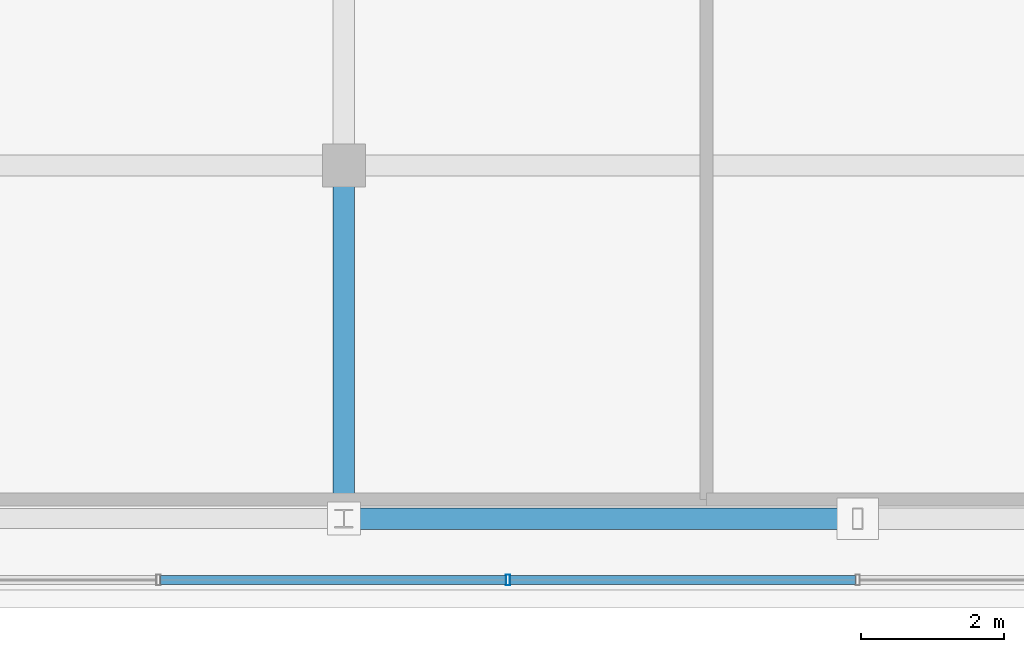
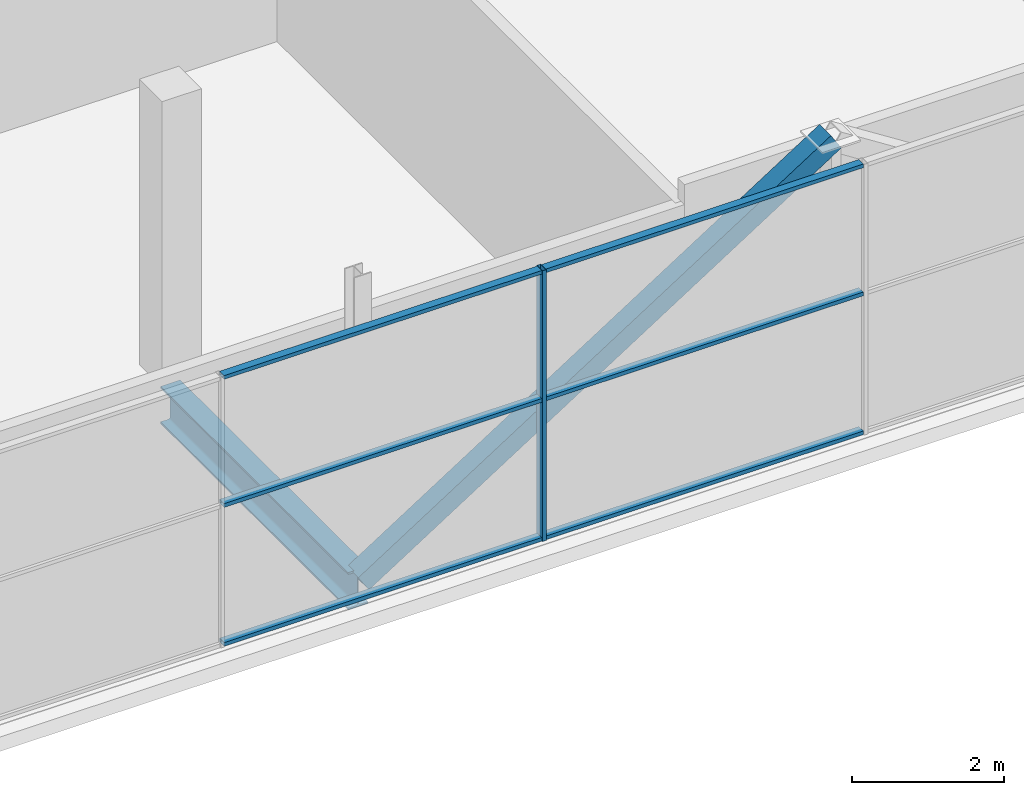
# One storey, part 4 of 27: 8 members, 1 beam, 1 element without a shape of its own.
"""IFC4 building model written with IfcOpenShell, lengths in metres."""

import ifcopenshell
import ifcopenshell.guid

model = None  # the IFC model being written
_history = None  # IfcOwnerHistory: only IFC2X3 demands one
_inside = {}  # id of a spatial element -> (the spatial element, [elements in it])
_under = {}  # id of a project, library or spatial element -> (it, [spatial elements below it])
_declared = {}  # id of a project -> (the project, [libraries it declares])
_typed = {}  # id of a type object -> (the type object, [elements of that type])
_made_of = {}  # id of a material, layer set ... -> (it, [elements and type objects made of it])


def new_model(schema):
    """Start an empty IFC model of exactly this schema.

    Asked for "IFC4X3", IfcOpenShell would pick the latest addendum, in which some entities
    have other attributes; the version numbers below select the first issue.
    IFC2X3 requires an IfcOwnerHistory on every rooted entity: one is made here for all.
    """
    global model, _history
    if schema == "IFC4X3":
        model = ifcopenshell.file(schema_version=(4, 3, 0, 0))
    else:
        model = ifcopenshell.file(schema=schema)
    _inside.clear()
    _under.clear()
    _declared.clear()
    _typed.clear()
    _made_of.clear()
    _history = None
    if model.schema == "IFC2X3":
        org = make("IfcOrganization", Name="unknown")
        user = make(
            "IfcPersonAndOrganization",
            ThePerson=make("IfcPerson", FamilyName="unknown"),
            TheOrganization=org,
        )
        app = make(
            "IfcApplication",
            ApplicationDeveloper=org,
            Version="unknown",
            ApplicationFullName="unknown",
            ApplicationIdentifier="unknown",
        )
        _history = make(
            "IfcOwnerHistory",
            OwningUser=user,
            OwningApplication=app,
            ChangeAction="ADDED",
            CreationDate=0,
        )
    return model


def make(cls, **values):
    """One entity of the class cls with the attributes given. An attribute that is None is left unset."""
    return model.create_entity(
        cls, **{name: value for name, value in values.items() if value is not None}
    )


def rooted(cls, **values):
    """An entity with a GlobalId (a new one), such as an element, a storey or a relation."""
    return make(cls, GlobalId=ifcopenshell.guid.new(), OwnerHistory=_history, **values)


def si_unit(unit_type, name, prefix=None):
    """IfcSIUnit, for example si_unit("LENGTHUNIT", "METRE", prefix="MILLI")."""
    return make("IfcSIUnit", UnitType=unit_type, Prefix=prefix, Name=name)


def assignment(units):
    """IfcUnitAssignment: the units of a project."""
    return None if units is None else make("IfcUnitAssignment", Units=units)


def point(xyz):
    """IfcCartesianPoint."""
    return None if xyz is None else make("IfcCartesianPoint", Coordinates=xyz)


def direction(xyz):
    """IfcDirection."""
    return None if xyz is None else make("IfcDirection", DirectionRatios=xyz)


def frame(location, z_axis=None, x_axis=None):
    """IfcAxis2Placement3D, a coordinate frame: its origin and axes. An axis left out is left unset."""
    return make(
        "IfcAxis2Placement3D",
        Location=point(location),
        Axis=direction(z_axis),
        RefDirection=direction(x_axis),
    )


def frame_2d(location, x_axis=None):
    """IfcAxis2Placement2D, a coordinate frame in the plane: its origin and x axis."""
    return make(
        "IfcAxis2Placement2D", Location=point(location), RefDirection=direction(x_axis)
    )


def origin():
    """The frame at (0, 0, 0) with its axes left unset."""
    return frame((0.0, 0.0, 0.0))


def origin_2d():
    """The frame at (0, 0) in the plane with its x axis left unset."""
    return frame_2d((0.0, 0.0))


def place(relative_to, where):
    """IfcLocalPlacement: puts the frame where relative to a parent placement (None: the world)."""
    return make(
        "IfcLocalPlacement", PlacementRelTo=relative_to, RelativePlacement=where
    )


def context(
    kind, dimensions, precision=None, world=None, true_north=None, identifier=None
):
    """IfcGeometricRepresentationContext, for example the 3D "Model" context."""
    return make(
        "IfcGeometricRepresentationContext",
        ContextIdentifier=identifier,
        ContextType=kind,
        CoordinateSpaceDimension=dimensions,
        Precision=precision,
        WorldCoordinateSystem=world,
        TrueNorth=true_north,
    )


def subcontext(parent, identifier, kind, view, scale=None):
    """IfcGeometricRepresentationSubContext, for example "Body" below "Model"."""
    return make(
        "IfcGeometricRepresentationSubContext",
        ContextIdentifier=identifier,
        ContextType=kind,
        ParentContext=parent,
        TargetScale=scale,
        TargetView=view,
    )


def project(units=None, contexts=None):
    """IfcProject with its units and contexts."""
    return rooted(
        "IfcProject",
        Name="project",
        RepresentationContexts=contexts,
        UnitsInContext=assignment(units),
    )


def spatial(cls, under=None, at=None, **own):
    """A site, building, storey or space (cls), placed at a placement, below another one or the project."""
    s = rooted(cls, ObjectPlacement=at, **own)
    if under is not None:
        _under.setdefault(under.id(), (under, []))[1].append(s)
    return s


def profile(cls, at=None, kind="AREA", **sizes):
    """A parametric profile (cls). Its sizes go by their IFC names, for example OverallWidth=200.0."""
    return make(cls, ProfileType=kind, Position=at, **sizes)


def hollow_rectangle(**sizes):
    """IfcRectangleHollowProfileDef."""
    return profile("IfcRectangleHollowProfileDef", **sizes)


def i_section(**sizes):
    """IfcIShapeProfileDef."""
    return profile("IfcIShapeProfileDef", **sizes)


def extrude(swept, where, along, depth):
    """IfcExtrudedAreaSolid: the profile swept, set in the frame where, extruded along a direction by depth."""
    return make(
        "IfcExtrudedAreaSolid",
        SweptArea=swept,
        Position=where,
        ExtrudedDirection=direction(along),
        Depth=depth,
    )


def shape(context_of_items, identifier, shape_type, items):
    """IfcShapeRepresentation: the items that make up one representation, for example the "Body"."""
    return make(
        "IfcShapeRepresentation",
        ContextOfItems=context_of_items,
        RepresentationIdentifier=identifier,
        RepresentationType=shape_type,
        Items=items,
    )


def source(mapping_origin, context_of_items, identifier, shape_type, items):
    """IfcRepresentationMap: a shape defined once, which mapped items show again and again."""
    return make(
        "IfcRepresentationMap",
        MappingOrigin=mapping_origin,
        MappedRepresentation=shape(context_of_items, identifier, shape_type, items),
    )


def transform(
    local_origin,
    x_axis=None,
    y_axis=None,
    z_axis=None,
    scale=None,
    scale2=None,
    scale3=None,
    uniform=True,
):
    """IfcCartesianTransformationOperator3D, or its non-uniform kind. x_axis, y_axis, z_axis: its Axis1, 2, 3."""
    if uniform:
        return make(
            "IfcCartesianTransformationOperator3D",
            Axis1=direction(x_axis),
            Axis2=direction(y_axis),
            LocalOrigin=point(local_origin),
            Scale=scale,
            Axis3=direction(z_axis),
        )
    return make(
        "IfcCartesianTransformationOperator3DnonUniform",
        Axis1=direction(x_axis),
        Axis2=direction(y_axis),
        LocalOrigin=point(local_origin),
        Scale=scale,
        Axis3=direction(z_axis),
        Scale2=scale2,
        Scale3=scale3,
    )


def mapped(mapping_source, mapping_target):
    """IfcMappedItem: shows the shape of a source again, moved by a transform."""
    return make(
        "IfcMappedItem", MappingSource=mapping_source, MappingTarget=mapping_target
    )


def material(Name=None, Category=None):
    """IfcMaterial."""
    return make("IfcMaterial", Name=Name, Category=Category)


def layer(
    of_material, thickness, ventilated=None, Name=None, Category=None, Priority=None
):
    """IfcMaterialLayer: one layer of a wall or slab, of a material (None: an air gap)."""
    return make(
        "IfcMaterialLayer",
        Material=of_material,
        LayerThickness=thickness,
        IsVentilated=ventilated,
        Name=Name,
        Category=Category,
        Priority=Priority,
    )


def layer_set(layers, Name=None):
    """IfcMaterialLayerSet."""
    return make("IfcMaterialLayerSet", MaterialLayers=layers, LayerSetName=Name)


def material_profile(
    of_material, cross_section, Name=None, Category=None, Priority=None
):
    """IfcMaterialProfile: a cross section and its material."""
    return make(
        "IfcMaterialProfile",
        Name=Name,
        Material=of_material,
        Profile=cross_section,
        Priority=Priority,
        Category=Category,
    )


def profile_set(profiles, Name=None, composite=None):
    """IfcMaterialProfileSet."""
    return make(
        "IfcMaterialProfileSet",
        Name=Name,
        MaterialProfiles=profiles,
        CompositeProfile=composite,
    )


def made_of(thing, what):
    """Note that an element or type object is made of a material, layer set ...; save() writes the relation."""
    if what is not None:
        _made_of.setdefault(what.id(), (what, []))[1].append(thing)
    return thing


def type_object(cls, material=None, **own):
    """A type object (cls), such as IfcWallType, which elements share."""
    return made_of(rooted(cls, **own), material)


def element(
    cls,
    number,
    at=None,
    inside=None,
    cuts=None,
    type_object=None,
    material=None,
    context=None,
    identifier="Body",
    shape_type=None,
    held_by="IfcProductDefinitionShape",
    body=None,
    shapes=None,
    **own,
):
    """One element of the class cls, such as IfcWall. Its Tag is "e" and its number.

    at: its placement. inside: the storey or other place that contains it. cuts: it is an
    opening in that element (IfcRelVoidsElement). A single representation is given by context,
    identifier, shape_type and body (its items); several are given by shapes. held_by: the class
    of the entity that holds the representations. save() writes the other relations.
    """
    e = rooted(cls, Tag="e%d" % number, ObjectPlacement=at, **own)
    if body is not None:
        shapes = [shape(context, identifier, shape_type, body)]
    if shapes is not None:
        e.Representation = make(held_by, Representations=shapes)
    if inside is not None:
        _inside.setdefault(inside.id(), (inside, []))[1].append(e)
    if cuts is not None:
        rooted(
            "IfcRelVoidsElement", RelatingBuildingElement=cuts, RelatedOpeningElement=e
        )
    if type_object is not None:
        _typed.setdefault(type_object.id(), (type_object, []))[1].append(e)
    return made_of(e, material)


def aggregate(whole, parts):
    """IfcRelAggregates: a whole, such as a stair, and the parts it consists of."""
    return rooted("IfcRelAggregates", RelatingObject=whole, RelatedObjects=parts)


def save(model, path):
    """Write the relations noted so far, then the file.

    IfcRelAggregates (storeys below a building ...), IfcRelContainedInSpatialStructure (elements
    in a storey), IfcRelDefinesByType, IfcRelAssociatesMaterial and IfcRelDeclares: one each for
    every whole, place, type object, material and project.
    """
    for whole, parts in _under.values():
        aggregate(whole, parts)
    for where, things in _inside.values():
        rooted(
            "IfcRelContainedInSpatialStructure",
            RelatedElements=things,
            RelatingStructure=where,
        )
    for kind, things in _typed.values():
        rooted("IfcRelDefinesByType", RelatedObjects=things, RelatingType=kind)
    for what, things in _made_of.values():
        rooted("IfcRelAssociatesMaterial", RelatedObjects=things, RelatingMaterial=what)
    for by, libraries in _declared.values():
        rooted("IfcRelDeclares", RelatingContext=by, RelatedDefinitions=libraries)
    model.write(path)


model = new_model("IFC4")

# Units and contexts
model_context = context("Model", 3, precision=1e-05, world=origin(), true_north=direction((0.0, 1.0)))
body_context = subcontext(model_context, "Body", "Model", "MODEL_VIEW")
ifc_project = project(units=[si_unit("LENGTHUNIT", "METRE"), si_unit("AREAUNIT", "SQUARE_METRE"), si_unit("VOLUMEUNIT", "CUBIC_METRE"), si_unit("PLANEANGLEUNIT", "RADIAN"), si_unit("MASSUNIT", "GRAM", prefix="KILO")], contexts=[model_context])

# Site, building, storey
site_placement = place(None, origin())
site = spatial("IfcSite", under=ifc_project, at=site_placement, CompositionType="ELEMENT")
building_placement = place(site_placement, origin())
building = spatial("IfcBuilding", under=site, at=building_placement, Name="Zarnakvel Exchange Tower", CompositionType="ELEMENT")
storey_placement = place(building_placement, frame((0.0, 0.0, 294.60009765625)))
storey = spatial("IfcBuildingStorey", under=building, at=storey_placement, Name="Crown L82", CompositionType="ELEMENT", Elevation=294.60009765625)

# Beam
ifc_material_1 = material(Name="Steel S355", Category="steel")
ifc_material_profile_1 = material_profile(ifc_material_1, i_section(OverallWidth=0.300048828125, OverallDepth=0.60009765625, WebThickness=0.015380859375, FlangeThickness=0.030029296875, FilletRadius=0.027099609375, at=origin_2d()))
ifc_profile_set_1 = profile_set([ifc_material_profile_1], Name="Steel S355")
beam_type = type_object("IfcBeamType", Name="G-04", PredefinedType="BEAM", material=ifc_profile_set_1)
beam_placement = place(storey_placement, frame((-7.199951171875, -14.550048828125, -0.52001953125), z_axis=(0.0, 1.0, 0.0), x_axis=(-1.0, 0.0, 0.0)))
element("IfcBeam", 1, at=beam_placement, inside=storey, type_object=beam_type, Name="Crown L82 Tower N-S Frame Beam", PredefinedType="BEAM", context=body_context, shape_type="SweptSolid", body=[
    extrude(i_section(OverallWidth=0.300048828125, OverallDepth=0.60009765625, WebThickness=0.015380859375, FlangeThickness=0.030029296875, FilletRadius=0.027099609375, at=origin_2d()), origin(), (0.0, 0.0, 1.0), 4.949951171875),
])

# Member
ifc_material_profile_2 = material_profile(ifc_material_1, hollow_rectangle(XDim=0.300048828125, YDim=0.300048828125, WallThickness=0.01611328125, at=origin_2d()))
ifc_profile_set_2 = profile_set([ifc_material_profile_2], Name="Steel S355")
member_type_1 = type_object("IfcMemberType", Name="CB-BR2", PredefinedType="BRACE", material=ifc_profile_set_2)
shared_shape_1 = source(origin(), body_context, "Body", "SweptSolid", [
    extrude(hollow_rectangle(XDim=0.300048828125, YDim=0.300048828125, WallThickness=0.01611328125, at=origin_2d()), origin(), (0.0, 0.0, 1.0), 8.5439453125),
])
member_1_placement = place(storey_placement, frame((-7.199951171875, -14.550048828125, -0.360107421875), z_axis=(0.842689417531, 0.0, 0.53839998661), x_axis=(0.0, 1.0, 0.0)))
element("IfcMember", 2, at=member_1_placement, inside=storey, type_object=member_type_1, Name="Crown L82 Crown Chevron Brace L (CB-BR2)", PredefinedType="BRACE", context=body_context, shape_type="MappedRepresentation", body=[
    mapped(shared_shape_1, transform((0.0, 0.0, 0.0), x_axis=(1.0, 0.0, 0.0), y_axis=(0.0, 1.0, 0.0), z_axis=(0.0, 0.0, 1.0), scale=1.0)),
])

# Curtain wall, members
ifc_material_2 = material(Name="Architectural Bronze Anodised Aluminium", Category="aluminium")
ifc_layer = layer(ifc_material_2, 0.14990234375)
ifc_layer_set = layer_set([ifc_layer], Name="Architectural Bronze Anodised Aluminium")
curtain_wall_type = type_object("IfcCurtainWallType", Name="CW-07", PredefinedType="NOTDEFINED", material=ifc_layer_set)
curtain_wall_placement = place(storey_placement, origin())
curtain_wall = element("IfcCurtainWall", 3, at=curtain_wall_placement, inside=storey, type_object=curtain_wall_type, Name="Crown L82 Curtain Wall CW-Crown L82-S (CW-07)", PredefinedType="NOTDEFINED")
ifc_material_profile_3 = material_profile(ifc_material_2, hollow_rectangle(XDim=0.14990234375, YDim=0.06005859375, WallThickness=0.00390625, at=origin_2d()))
ifc_profile_set_3 = profile_set([ifc_material_profile_3], Name="Architectural Bronze Anodised Aluminium")
member_type_2 = type_object("IfcMemberType", Name="CWM-07", PredefinedType="MULLION", material=ifc_profile_set_3)
shared_shape_2 = source(origin(), body_context, "Body", "SweptSolid", [
    extrude(hollow_rectangle(XDim=0.14990234375, YDim=0.06005859375, WallThickness=0.00390625, at=origin_2d()), origin(), (0.0, 0.0, 1.0), 4.35986328125),
])
member_2_placement = place(storey_placement, frame((-4.89990234375, -15.409912109375, 0.0), z_axis=(0.0, 0.0, 1.0), x_axis=(0.0, 1.0, 0.0)))
member_2 = element("IfcMember", 4, at=member_2_placement, type_object=member_type_2, Name="CW-07 mullion 3", PredefinedType="MULLION", context=body_context, shape_type="MappedRepresentation", body=[
    mapped(shared_shape_2, transform((0.0, 0.0, 0.0), x_axis=(1.0, 0.0, 0.0), y_axis=(0.0, 1.0, 0.0), z_axis=(0.0, 0.0, 1.0), scale=1.0)),
])
ifc_material_profile_4 = material_profile(ifc_material_2, hollow_rectangle(XDim=0.1201171875, YDim=0.06005859375, WallThickness=0.00390625, at=origin_2d()))
ifc_profile_set_4 = profile_set([ifc_material_profile_4], Name="Architectural Bronze Anodised Aluminium")
member_type_3 = type_object("IfcMemberType", Name="CWT-07", PredefinedType="USERDEFINED", material=ifc_profile_set_4)
shared_shape_3 = source(origin(), body_context, "Body", "SweptSolid", [
    extrude(hollow_rectangle(XDim=0.1201171875, YDim=0.06005859375, WallThickness=0.00390625, at=origin_2d()), origin(), (0.0, 0.0, 1.0), 4.840087890625),
])
member_3_placement = place(storey_placement, frame((-9.77001953125, -15.409912109375, 0.02978515625), z_axis=(1.0, 0.0, 0.0), x_axis=(0.0, 1.0, 0.0)))
member_3 = element("IfcMember", 5, at=member_3_placement, type_object=member_type_3, Name="CW-07 transom 2.1", ObjectType="TRANSOM", PredefinedType="USERDEFINED", context=body_context, shape_type="MappedRepresentation", body=[
    mapped(shared_shape_3, transform((0.0, 0.0, 0.0), x_axis=(1.0, 0.0, 0.0), y_axis=(0.0, 1.0, 0.0), z_axis=(0.0, 0.0, 1.0), scale=1.0)),
])
member_4_placement = place(storey_placement, frame((-9.77001953125, -15.409912109375, 2.26708984375), z_axis=(1.0, 0.0, 0.0), x_axis=(0.0, 1.0, 0.0)))
member_4 = element("IfcMember", 6, at=member_4_placement, type_object=member_type_3, Name="CW-07 transom 2.2", ObjectType="TRANSOM", PredefinedType="USERDEFINED", context=body_context, shape_type="MappedRepresentation", body=[
    mapped(shared_shape_3, transform((0.0, 0.0, 0.0), x_axis=(1.0, 0.0, 0.0), y_axis=(0.0, 1.0, 0.0), z_axis=(0.0, 0.0, 1.0), scale=1.0)),
])
member_5_placement = place(storey_placement, frame((-9.77001953125, -15.409912109375, 4.329833984375), z_axis=(1.0, 0.0, 0.0), x_axis=(0.0, 1.0, 0.0)))
member_5 = element("IfcMember", 7, at=member_5_placement, type_object=member_type_3, Name="CW-07 transom 2.3", ObjectType="TRANSOM", PredefinedType="USERDEFINED", context=body_context, shape_type="MappedRepresentation", body=[
    mapped(shared_shape_3, transform((0.0, 0.0, 0.0), x_axis=(1.0, 0.0, 0.0), y_axis=(0.0, 1.0, 0.0), z_axis=(0.0, 0.0, 1.0), scale=1.0)),
])
member_6_placement = place(storey_placement, frame((-4.8701171875, -15.409912109375, 0.02978515625), z_axis=(1.0, 0.0, 0.0), x_axis=(0.0, 1.0, 0.0)))
member_6 = element("IfcMember", 8, at=member_6_placement, type_object=member_type_3, Name="CW-07 transom 3.1", ObjectType="TRANSOM", PredefinedType="USERDEFINED", context=body_context, shape_type="MappedRepresentation", body=[
    mapped(shared_shape_3, transform((0.0, 0.0, 0.0), x_axis=(1.0, 0.0, 0.0), y_axis=(0.0, 1.0, 0.0), z_axis=(0.0, 0.0, 1.0), scale=1.0)),
])
member_7_placement = place(storey_placement, frame((-4.8701171875, -15.409912109375, 2.26708984375), z_axis=(1.0, 0.0, 0.0), x_axis=(0.0, 1.0, 0.0)))
member_7 = element("IfcMember", 9, at=member_7_placement, type_object=member_type_3, Name="CW-07 transom 3.2", ObjectType="TRANSOM", PredefinedType="USERDEFINED", context=body_context, shape_type="MappedRepresentation", body=[
    mapped(shared_shape_3, transform((0.0, 0.0, 0.0), x_axis=(1.0, 0.0, 0.0), y_axis=(0.0, 1.0, 0.0), z_axis=(0.0, 0.0, 1.0), scale=1.0)),
])
member_8_placement = place(storey_placement, frame((-4.8701171875, -15.409912109375, 4.329833984375), z_axis=(1.0, 0.0, 0.0), x_axis=(0.0, 1.0, 0.0)))
member_8 = element("IfcMember", 10, at=member_8_placement, type_object=member_type_3, Name="CW-07 transom 3.3", ObjectType="TRANSOM", PredefinedType="USERDEFINED", context=body_context, shape_type="MappedRepresentation", body=[
    mapped(shared_shape_3, transform((0.0, 0.0, 0.0), x_axis=(1.0, 0.0, 0.0), y_axis=(0.0, 1.0, 0.0), z_axis=(0.0, 0.0, 1.0), scale=1.0)),
])
aggregate(curtain_wall, [member_2, member_3, member_4, member_5, member_6, member_7, member_8])

save(model, "model.ifc")
